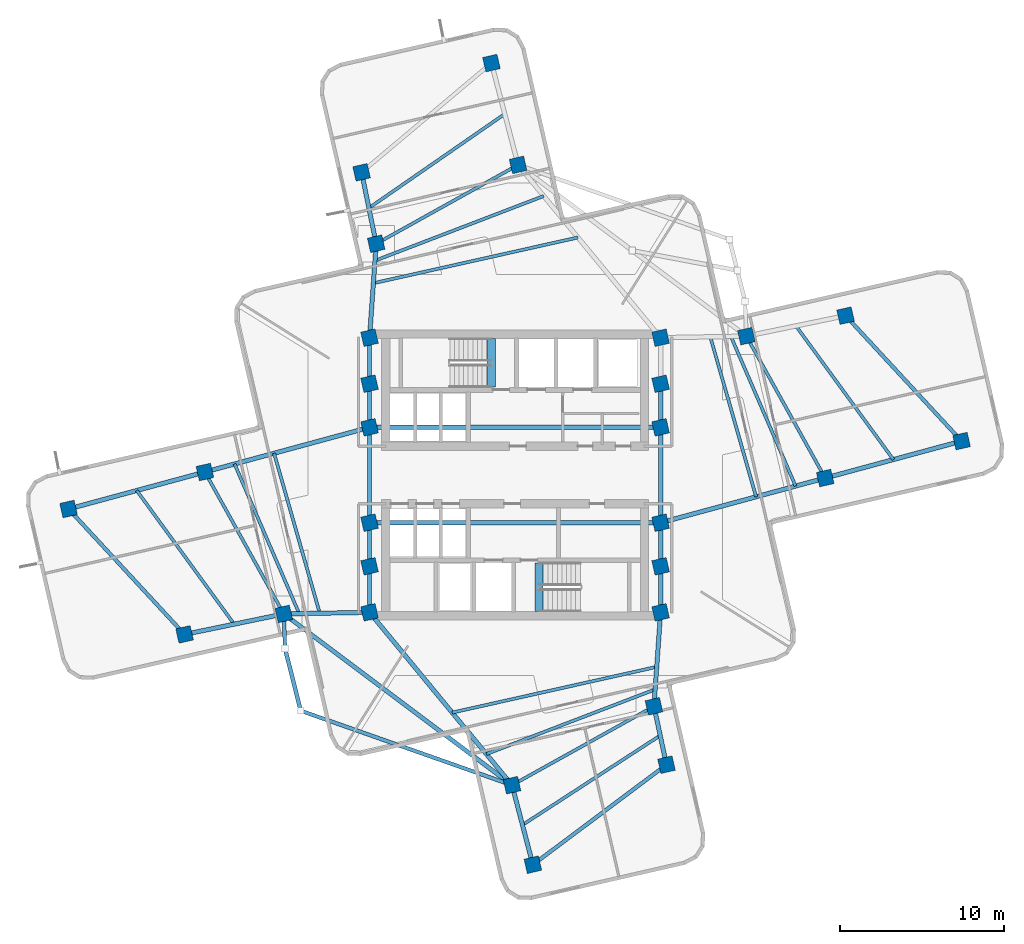
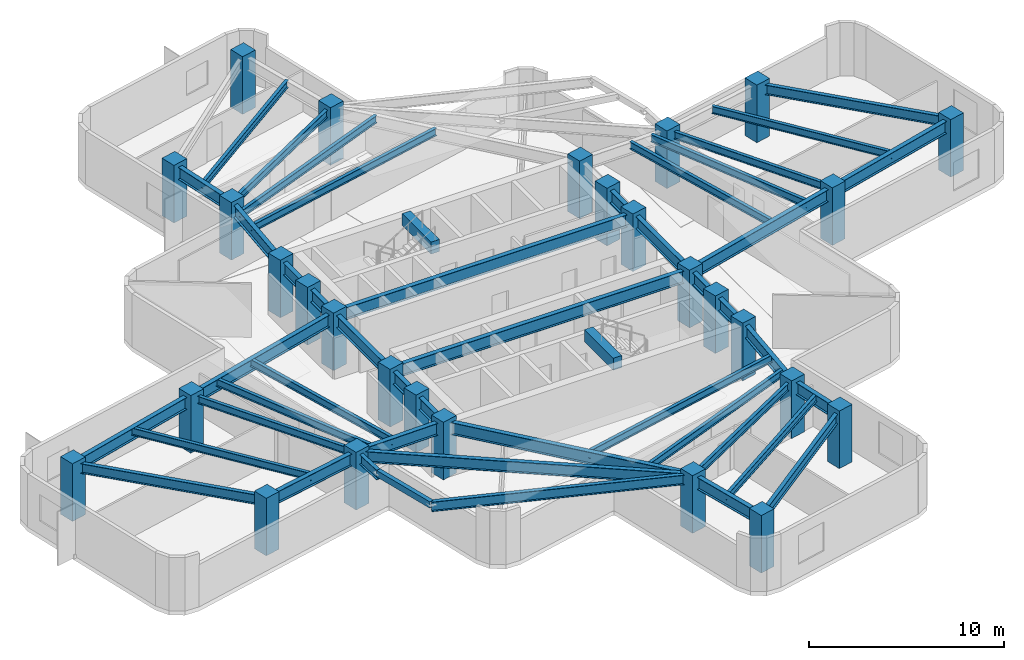
# One storey, part 1 of 8: 48 beams, 28 columns.
"""IFC4 building model written with IfcOpenShell, lengths in metres."""

from ifc_helpers import new_model, si_unit, direction, frame, origin, origin_2d, place, context, subcontext, project, spatial, rectangle, hollow_rectangle, i_section, extrude, material, material_profile, profile_set, type_object, element, save


model = new_model("IFC4")

# Units and contexts
model_context = context("Model", 3, precision=1e-05, world=origin(), true_north=direction((0.0, 1.0)))
body_context = subcontext(model_context, "Body", "Model", "MODEL_VIEW")
ifc_project = project(units=[si_unit("LENGTHUNIT", "METRE"), si_unit("AREAUNIT", "SQUARE_METRE"), si_unit("VOLUMEUNIT", "CUBIC_METRE"), si_unit("PLANEANGLEUNIT", "RADIAN"), si_unit("MASSUNIT", "GRAM", prefix="KILO")], contexts=[model_context])

# Site, building, storey
site_placement = place(None, origin())
site = spatial("IfcSite", under=ifc_project, at=site_placement, CompositionType="ELEMENT")
building_placement = place(site_placement, origin())
building = spatial("IfcBuilding", under=site, at=building_placement, Name="Solmarez Civic Tower", CompositionType="ELEMENT")
storey_placement = place(building_placement, frame((0.0, 0.0, 123.47998046875)))
storey = spatial("IfcBuildingStorey", under=building, at=storey_placement, Name="L32", CompositionType="ELEMENT", Elevation=123.47998046875)

# Columns
ifc_material_1 = material(Name="Concrete C50/60", Category="concrete")
ifc_material_profile_1 = material_profile(ifc_material_1, rectangle(XDim=0.89990234375, YDim=0.89990234375, at=origin_2d()), Name="RC900X900")
ifc_profile_set_1 = profile_set([ifc_material_profile_1], Name="Concrete C50/60")
column_type = type_object("IfcColumnType", Name="COL-RC900", PredefinedType="COLUMN", material=ifc_profile_set_1)
for number, where, z_axis, x_axis, name in (
    (1, (-8.85009765625, -5.550048828125, 0.0), (0.0, 0.0, 1.0), (0.974761194191, 0.223250116011, 0.0), "L32 Structural Column HC1"),
    (2, (-8.85009765625, -2.89990234375, 0.0), (0.0, 0.0, 1.0), (0.974761194191, 0.223250116011, 0.0), "L32 Structural Column HC2"),
    (3, (-8.85009765625, 2.89990234375, 0.0), (0.0, 0.0, 1.0), (0.974761194191, 0.223250116011, 0.0), "L32 Structural Column HC3"),
    (4, (-8.85009765625, 5.550048828125, 0.0), (0.0, 0.0, 1.0), (0.974761194191, 0.223250116011, 0.0), "L32 Structural Column HC4"),
    (5, (8.85009765625, -5.550048828125, 0.0), (0.0, 0.0, 1.0), (0.974761194191, 0.223250116011, 0.0), "L32 Structural Column HC5"),
    (6, (8.85009765625, -2.89990234375, 0.0), (0.0, 0.0, 1.0), (0.974761194191, 0.223250116011, 0.0), "L32 Structural Column HC6"),
    (7, (8.85009765625, 2.89990234375, 0.0), (0.0, 0.0, 1.0), (0.974761194191, 0.223250116011, 0.0), "L32 Structural Column HC7"),
    (8, (8.85009765625, 5.550048828125, 0.0), (0.0, 0.0, 1.0), (0.974761194191, 0.223250116011, 0.0), "L32 Structural Column HC8"),
    (9, (-8.85009765625, 8.35009765625, 0.0), (0.0, 0.0, 1.0), (0.974761194191, 0.223250116011, 0.0), "L32 Structural Column HC9"),
    (10, (8.85009765625, -8.35009765625, 0.0), (0.0, 0.0, 1.0), (0.974761194191, 0.223250116011, 0.0), "L32 Structural Column HC10"),
    (11, (8.85009765625, 8.35009765625, 0.0), (0.0, 0.0, 1.0), (0.974761194191, 0.223250116011, 0.0), "L32 Structural Column HC11"),
    (12, (-8.85009765625, -8.35009765625, 0.0), (0.0, 0.0, 1.0), (0.974761194191, 0.223250116011, 0.0), "L32 Structural Column HC12"),
    (13, (18.860107421875, -0.18310546875, 0.0), (0.0, 0.0, 1.0), (0.974761194191, 0.223250116011, 0.0), "L32 Structural Column EA11"),
    (14, (14.06396484375, 8.445068359375, 0.0), (0.0, 0.0, 1.0), (0.974761194191, 0.223250116011, 0.0), "L32 Structural Column EA12"),
    (15, (27.153076171875, 2.06396484375, 0.0), (0.0, 0.0, 1.0), (0.974761194191, 0.223250116011, 0.0), "L32 Structural Column EA21"),
    (16, (20.097900390625, 9.69189453125, 0.0), (0.0, 0.0, 1.0), (0.974761194191, 0.223250116011, 0.0), "L32 Structural Column EA22"),
    (17, (0.18310546875, 18.860107421875, 0.0), (0.0, 0.0, 1.0), (0.974761194191, 0.223250116011, 0.0), "L32 Structural Column NA11"),
    (18, (-8.445068359375, 14.06396484375, 0.0), (0.0, 0.0, 1.0), (0.974761194191, 0.223250116011, 0.0), "L32 Structural Column NA12"),
    (19, (-1.43701171875, 25.052001953125, 0.0), (0.0, 0.0, 1.0), (0.974761194191, 0.223250116011, 0.0), "L32 Structural Column NA21"),
    (20, (-9.3330078125, 18.408935546875, 0.0), (0.0, 0.0, 1.0), (0.974761194191, 0.223250116011, 0.0), "L32 Structural Column NA22"),
    (21, (-18.860107421875, 0.18310546875, 0.0), (0.0, 0.0, 1.0), (0.974761194191, 0.223250116011, 0.0), "L32 Structural Column WA11"),
    (22, (-14.06396484375, -8.445068359375, 0.0), (0.0, 0.0, 1.0), (0.974761194191, 0.223250116011, 0.0), "L32 Structural Column WA12"),
    (23, (-27.153076171875, -2.06396484375, 0.0), (0.0, 0.0, 1.0), (0.974761194191, 0.223250116011, 0.0), "L32 Structural Column WA21"),
    (24, (-20.097900390625, -9.69189453125, 0.0), (0.0, 0.0, 1.0), (0.974761194191, 0.223250116011, 0.0), "L32 Structural Column WA22"),
    (25, (-0.18310546875, -18.860107421875, 0.0), (0.0, 0.0, 1.0), (0.974761194191, 0.223250116011, 0.0), "L32 Structural Column SA11"),
    (26, (8.445068359375, -14.06396484375, 0.0), (0.0, 0.0, 1.0), (0.974761194191, 0.223250116011, 0.0), "L32 Structural Column SA12"),
    (27, (1.0830078125, -23.697021484375, 0.0), (0.0, 0.0, 1.0), (0.974761194191, 0.223250116011, 0.0), "L32 Structural Column SA21"),
    (28, (9.2080078125, -17.614990234375, 0.0), (0.0, 0.0, 1.0), (0.974761194191, 0.223250116011, 0.0), "L32 Structural Column SA22"),
):
    element("IfcColumn", number, at=place(storey_placement, frame(where, z_axis=z_axis, x_axis=x_axis)), inside=storey, type_object=column_type, Name=name, PredefinedType="COLUMN", context=body_context, shape_type="SweptSolid", body=[
        extrude(rectangle(XDim=0.89990234375, YDim=0.89990234375, at=origin_2d()), origin(), (0.0, 0.0, 1.0), 3.60009765625),
    ])

# Beams
ifc_material_2 = material(Name="Steel S355", Category="steel")
ifc_material_profile_2 = material_profile(ifc_material_2, i_section(OverallWidth=0.19189453125, OverallDepth=0.462890625, WebThickness=0.010498046875, FlangeThickness=0.017578125, at=origin_2d()), Name="W18X60")
ifc_profile_set_2 = profile_set([ifc_material_profile_2], Name="Steel S355")
beam_type_1 = type_object("IfcBeamType", Name="BM-JS-W18X60", PredefinedType="JOIST", material=ifc_profile_set_2)
beam_1_placement = place(storey_placement, frame((18.860107421875, -0.18310546875, 3.10791015625), z_axis=(-0.485852902718, 0.874040592261, 0.0), x_axis=(-0.874040592261, -0.485852902718, 0.0)))
element("IfcBeam", 29, at=beam_1_placement, inside=storey, type_object=beam_type_1, Name="L32 Secondary Floor Joist BM-L32-EA-T1", PredefinedType="JOIST", context=body_context, shape_type="SweptSolid", body=[
    extrude(i_section(OverallWidth=0.19189453125, OverallDepth=0.462890625, WebThickness=0.010498046875, FlangeThickness=0.017578125, at=origin_2d()), origin(), (0.0, 0.0, 1.0), 9.87158203125),
])
beam_2_placement = place(storey_placement, frame((23.006103515625, 0.94091796875, 3.10791015625), z_axis=(-0.589058914091, 0.808090091345, 0.0), x_axis=(-0.808090091345, -0.589058914091, 0.0)))
element("IfcBeam", 30, at=beam_2_placement, inside=storey, type_object=beam_type_1, Name="L32 Secondary Floor Joist JS-L32-EA-M2", PredefinedType="JOIST", context=body_context, shape_type="SweptSolid", body=[
    extrude(i_section(OverallWidth=0.19189453125, OverallDepth=0.462890625, WebThickness=0.010498046875, FlangeThickness=0.017578125, at=origin_2d()), origin(), (0.0, 0.0, 1.0), 10.05859375),
])
beam_3_placement = place(storey_placement, frame((14.656005859375, -1.323974609375, 3.10791015625), z_axis=(-0.27492825036, 0.961464745664, 0.0), x_axis=(-0.961464745664, -0.27492825036, 0.0)))
element("IfcBeam", 31, at=beam_3_placement, inside=storey, type_object=beam_type_1, Name="L32 Secondary Floor Joist JS-L32-EA-M11", PredefinedType="JOIST", context=body_context, shape_type="SweptSolid", body=[
    extrude(i_section(OverallWidth=0.19189453125, OverallDepth=0.462890625, WebThickness=0.010498046875, FlangeThickness=0.017578125, at=origin_2d()), origin(), (0.0, 0.0, 1.0), 10.118896484375),
])
beam_4_placement = place(storey_placement, frame((17.05810546875, -0.672119140625, 3.10791015625), z_axis=(-0.396735074316, 0.917933157048, 0.0), x_axis=(-0.917933157048, -0.396735074316, 0.0)))
element("IfcBeam", 32, at=beam_4_placement, inside=storey, type_object=beam_type_1, Name="L32 Secondary Floor Joist JS-L32-EA-M12", PredefinedType="JOIST", context=body_context, shape_type="SweptSolid", body=[
    extrude(i_section(OverallWidth=0.19189453125, OverallDepth=0.462890625, WebThickness=0.010498046875, FlangeThickness=0.017578125, at=origin_2d()), origin(), (0.0, 0.0, 1.0), 9.91357421875),
])
beam_5_placement = place(storey_placement, frame((0.18310546875, 18.860107421875, 3.10791015625), z_axis=(-0.874040592261, -0.485852902718, 0.0), x_axis=(0.485852902718, -0.874040592261, 0.0)))
element("IfcBeam", 33, at=beam_5_placement, inside=storey, type_object=beam_type_1, Name="L32 Secondary Floor Joist BM-L32-NA-T1", PredefinedType="JOIST", context=body_context, shape_type="SweptSolid", body=[
    extrude(i_section(OverallWidth=0.19189453125, OverallDepth=0.462890625, WebThickness=0.010498046875, FlangeThickness=0.017578125, at=origin_2d()), origin(), (0.0, 0.0, 1.0), 9.87158203125),
])
beam_6_placement = place(storey_placement, frame((-0.626953125, 21.9560546875, 3.10791015625), z_axis=(-0.822185194468, -0.56922008573, 0.0), x_axis=(0.56922008573, -0.822185194468, 0.0)))
element("IfcBeam", 34, at=beam_6_placement, inside=storey, type_object=beam_type_1, Name="L32 Secondary Floor Joist JS-L32-NA-M2", PredefinedType="JOIST", context=body_context, shape_type="SweptSolid", body=[
    extrude(i_section(OverallWidth=0.19189453125, OverallDepth=0.462890625, WebThickness=0.010498046875, FlangeThickness=0.017578125, at=origin_2d()), origin(), (0.0, 0.0, 1.0), 10.048828125),
])
beam_7_placement = place(storey_placement, frame((3.822998046875, 14.446044921875, 3.10791015625), z_axis=(-0.975887310906, -0.218274955988, 0.0), x_axis=(0.218274955988, -0.975887310906, 0.0)))
element("IfcBeam", 35, at=beam_7_placement, inside=storey, type_object=beam_type_1, Name="L32 Secondary Floor Joist JS-L32-NA-M11", PredefinedType="JOIST", context=body_context, shape_type="SweptSolid", body=[
    extrude(i_section(OverallWidth=0.19189453125, OverallDepth=0.462890625, WebThickness=0.010498046875, FlangeThickness=0.017578125, at=origin_2d()), origin(), (0.0, 0.0, 1.0), 12.745361328125),
])
beam_8_placement = place(storey_placement, frame((1.742919921875, 16.968017578125, 3.10791015625), z_axis=(-0.933754408709, -0.357914381125, 0.0), x_axis=(0.357914381125, -0.933754408709, 0.0)))
element("IfcBeam", 36, at=beam_8_placement, inside=storey, type_object=beam_type_1, Name="L32 Secondary Floor Joist JS-L32-NA-M12", PredefinedType="JOIST", context=body_context, shape_type="SweptSolid", body=[
    extrude(i_section(OverallWidth=0.19189453125, OverallDepth=0.462890625, WebThickness=0.010498046875, FlangeThickness=0.017578125, at=origin_2d()), origin(), (0.0, 0.0, 1.0), 10.989013671875),
])
beam_9_placement = place(storey_placement, frame((-18.860107421875, 0.18310546875, 3.10791015625), z_axis=(0.485852902718, -0.874040592261, 0.0), x_axis=(0.874040592261, 0.485852902718, 0.0)))
element("IfcBeam", 37, at=beam_9_placement, inside=storey, type_object=beam_type_1, Name="L32 Secondary Floor Joist BM-L32-WA-T1", PredefinedType="JOIST", context=body_context, shape_type="SweptSolid", body=[
    extrude(i_section(OverallWidth=0.19189453125, OverallDepth=0.462890625, WebThickness=0.010498046875, FlangeThickness=0.017578125, at=origin_2d()), origin(), (0.0, 0.0, 1.0), 9.87158203125),
])
beam_10_placement = place(storey_placement, frame((-23.006103515625, -0.94091796875, 3.10791015625), z_axis=(0.589058914091, -0.808090091345, 0.0), x_axis=(0.808090091345, 0.589058914091, 0.0)))
element("IfcBeam", 38, at=beam_10_placement, inside=storey, type_object=beam_type_1, Name="L32 Secondary Floor Joist JS-L32-WA-M2", PredefinedType="JOIST", context=body_context, shape_type="SweptSolid", body=[
    extrude(i_section(OverallWidth=0.19189453125, OverallDepth=0.462890625, WebThickness=0.010498046875, FlangeThickness=0.017578125, at=origin_2d()), origin(), (0.0, 0.0, 1.0), 10.05859375),
])
beam_11_placement = place(storey_placement, frame((-14.656005859375, 1.323974609375, 3.10791015625), z_axis=(0.27492825036, -0.961464745664, 0.0), x_axis=(0.961464745664, 0.27492825036, 0.0)))
element("IfcBeam", 39, at=beam_11_placement, inside=storey, type_object=beam_type_1, Name="L32 Secondary Floor Joist JS-L32-WA-M11", PredefinedType="JOIST", context=body_context, shape_type="SweptSolid", body=[
    extrude(i_section(OverallWidth=0.19189453125, OverallDepth=0.462890625, WebThickness=0.010498046875, FlangeThickness=0.017578125, at=origin_2d()), origin(), (0.0, 0.0, 1.0), 10.118896484375),
])
beam_12_placement = place(storey_placement, frame((-17.05810546875, 0.672119140625, 3.10791015625), z_axis=(0.396735074316, -0.917933157048, 0.0), x_axis=(0.917933157048, 0.396735074316, 0.0)))
element("IfcBeam", 40, at=beam_12_placement, inside=storey, type_object=beam_type_1, Name="L32 Secondary Floor Joist JS-L32-WA-M12", PredefinedType="JOIST", context=body_context, shape_type="SweptSolid", body=[
    extrude(i_section(OverallWidth=0.19189453125, OverallDepth=0.462890625, WebThickness=0.010498046875, FlangeThickness=0.017578125, at=origin_2d()), origin(), (0.0, 0.0, 1.0), 9.91357421875),
])
beam_13_placement = place(storey_placement, frame((-0.18310546875, -18.860107421875, 3.10791015625), z_axis=(0.874040592261, 0.485852902718, 0.0), x_axis=(-0.485852902718, 0.874040592261, 0.0)))
element("IfcBeam", 41, at=beam_13_placement, inside=storey, type_object=beam_type_1, Name="L32 Secondary Floor Joist BM-L32-SA-T1", PredefinedType="JOIST", context=body_context, shape_type="SweptSolid", body=[
    extrude(i_section(OverallWidth=0.19189453125, OverallDepth=0.462890625, WebThickness=0.010498046875, FlangeThickness=0.017578125, at=origin_2d()), origin(), (0.0, 0.0, 1.0), 9.87158203125),
])
beam_14_placement = place(storey_placement, frame((0.449951171875, -21.279052734375, 3.10791015625), z_axis=(0.83864684805, 0.54467555871, 0.0), x_axis=(-0.54467555871, 0.83864684805, 0.0)))
element("IfcBeam", 42, at=beam_14_placement, inside=storey, type_object=beam_type_1, Name="L32 Secondary Floor Joist JS-L32-SA-M2", PredefinedType="JOIST", context=body_context, shape_type="SweptSolid", body=[
    extrude(i_section(OverallWidth=0.19189453125, OverallDepth=0.462890625, WebThickness=0.010498046875, FlangeThickness=0.017578125, at=origin_2d()), origin(), (0.0, 0.0, 1.0), 9.987548828125),
])
beam_15_placement = place(storey_placement, frame((-3.822998046875, -14.446044921875, 3.10791015625), z_axis=(0.975887310906, 0.218274955988, 0.0), x_axis=(-0.218274955988, 0.975887310906, 0.0)))
element("IfcBeam", 43, at=beam_15_placement, inside=storey, type_object=beam_type_1, Name="L32 Secondary Floor Joist JS-L32-SA-M11", PredefinedType="JOIST", context=body_context, shape_type="SweptSolid", body=[
    extrude(i_section(OverallWidth=0.19189453125, OverallDepth=0.462890625, WebThickness=0.010498046875, FlangeThickness=0.017578125, at=origin_2d()), origin(), (0.0, 0.0, 1.0), 12.745361328125),
])
beam_16_placement = place(storey_placement, frame((-1.742919921875, -16.968017578125, 3.10791015625), z_axis=(0.933754408709, 0.357914381125, 0.0), x_axis=(-0.357914381125, 0.933754408709, 0.0)))
element("IfcBeam", 44, at=beam_16_placement, inside=storey, type_object=beam_type_1, Name="L32 Secondary Floor Joist JS-L32-SA-M12", PredefinedType="JOIST", context=body_context, shape_type="SweptSolid", body=[
    extrude(i_section(OverallWidth=0.19189453125, OverallDepth=0.462890625, WebThickness=0.010498046875, FlangeThickness=0.017578125, at=origin_2d()), origin(), (0.0, 0.0, 1.0), 10.989013671875),
])
ifc_material_profile_3 = material_profile(ifc_material_1, rectangle(XDim=0.5, YDim=0.75, at=origin_2d()), Name="RC500X750")
ifc_profile_set_3 = profile_set([ifc_material_profile_3], Name="Concrete C50/60")
beam_type_2 = type_object("IfcBeamType", Name="BM-PR-RC500X750", PredefinedType="BEAM", material=ifc_profile_set_3)
for number, where, z_axis, x_axis, name in (
    (45, (-1.449951171875, 5.340087890625, 3.23291015625), (0.0, 1.0, 0.0), (-1.0, 0.0, 0.0), "L32 North Stair Threshold Beam"),
    (46, (1.449951171875, -8.300048828125, 3.23291015625), (0.0, 1.0, 0.0), (-1.0, 0.0, 0.0), "L32 South Stair Threshold Beam"),
):
    element("IfcBeam", number, at=place(storey_placement, frame(where, z_axis=z_axis, x_axis=x_axis)), inside=storey, type_object=beam_type_2, Name=name, PredefinedType="BEAM", context=body_context, shape_type="SweptSolid", body=[
        extrude(rectangle(XDim=0.5, YDim=0.75, at=origin_2d()), origin(), (0.0, 0.0, 1.0), 2.9599609375),
    ])
ifc_material_profile_4 = material_profile(ifc_material_2, i_section(OverallWidth=0.25390625, OverallDepth=0.68798828125, WebThickness=0.01318359375, FlangeThickness=0.02099609375, at=origin_2d()), Name="W27X102")
ifc_profile_set_4 = profile_set([ifc_material_profile_4], Name="Steel S355")
beam_type_3 = type_object("IfcBeamType", Name="BM-PR-W27X102", PredefinedType="BEAM", material=ifc_profile_set_4)
beam_17_placement = place(storey_placement, frame((-14.06396484375, -8.445068359375, 2.99609375), z_axis=(0.799878431775, -0.600162056766, 0.0), x_axis=(0.600162056766, 0.799878431775, 0.0)))
element("IfcBeam", 47, at=beam_17_placement, inside=storey, type_object=beam_type_3, Name="L32 Primary Floor Beam BM-L32-BALC-SWC", PredefinedType="BEAM", context=body_context, shape_type="SweptSolid", body=[
    extrude(i_section(OverallWidth=0.25390625, OverallDepth=0.68798828125, WebThickness=0.01318359375, FlangeThickness=0.02099609375, at=origin_2d()), origin(), (0.0, 0.0, 1.0), 17.353759765625),
])
ifc_material_profile_5 = material_profile(ifc_material_2, i_section(OverallWidth=0.26708984375, OverallDepth=0.761962890625, WebThickness=0.014404296875, FlangeThickness=0.021484375, at=origin_2d()), Name="W30X116")
ifc_profile_set_5 = profile_set([ifc_material_profile_5], Name="Steel S355")
beam_type_4 = type_object("IfcBeamType", Name="BM-PR-W30X116", PredefinedType="BEAM", material=ifc_profile_set_5)
beam_18_placement = place(storey_placement, frame((-8.85009765625, -8.35009765625, 2.958984375), z_axis=(0.0, 1.0, 0.0), x_axis=(-1.0, 0.0, 0.0)))
element("IfcBeam", 48, at=beam_18_placement, inside=storey, type_object=beam_type_4, Name="L32 Primary Floor Beam BM-L32-HC12-HC1", PredefinedType="BEAM", context=body_context, shape_type="SweptSolid", body=[
    extrude(i_section(OverallWidth=0.26708984375, OverallDepth=0.761962890625, WebThickness=0.014404296875, FlangeThickness=0.021484375, at=origin_2d()), origin(), (0.0, 0.0, 1.0), 2.800048828125),
])
beam_19_placement = place(storey_placement, frame((-8.85009765625, -5.550048828125, 2.958984375), z_axis=(0.0, 1.0, 0.0), x_axis=(-1.0, 0.0, 0.0)))
element("IfcBeam", 49, at=beam_19_placement, inside=storey, type_object=beam_type_4, Name="L32 Primary Floor Beam BM-L32-HC1-HC2", PredefinedType="BEAM", context=body_context, shape_type="SweptSolid", body=[
    extrude(i_section(OverallWidth=0.26708984375, OverallDepth=0.761962890625, WebThickness=0.014404296875, FlangeThickness=0.021484375, at=origin_2d()), origin(), (0.0, 0.0, 1.0), 2.650146484375),
])
beam_20_placement = place(storey_placement, frame((-8.85009765625, -2.89990234375, 2.958984375), z_axis=(0.0, 1.0, 0.0), x_axis=(-1.0, 0.0, 0.0)))
element("IfcBeam", 50, at=beam_20_placement, inside=storey, type_object=beam_type_4, Name="L32 Primary Floor Beam BM-L32-HC2-HC3", PredefinedType="BEAM", context=body_context, shape_type="SweptSolid", body=[
    extrude(i_section(OverallWidth=0.26708984375, OverallDepth=0.761962890625, WebThickness=0.014404296875, FlangeThickness=0.021484375, at=origin_2d()), origin(), (0.0, 0.0, 1.0), 5.7998046875),
])
beam_21_placement = place(storey_placement, frame((-8.85009765625, 2.89990234375, 2.958984375), z_axis=(0.0, 1.0, 0.0), x_axis=(-1.0, 0.0, 0.0)))
element("IfcBeam", 51, at=beam_21_placement, inside=storey, type_object=beam_type_4, Name="L32 Primary Floor Beam BM-L32-HC3-HC4", PredefinedType="BEAM", context=body_context, shape_type="SweptSolid", body=[
    extrude(i_section(OverallWidth=0.26708984375, OverallDepth=0.761962890625, WebThickness=0.014404296875, FlangeThickness=0.021484375, at=origin_2d()), origin(), (0.0, 0.0, 1.0), 2.650146484375),
])
for number, where, z_axis, x_axis, name in (
    (52, (-8.85009765625, 5.550048828125, 2.958984375), (0.0, 1.0, 0.0), (-1.0, 0.0, 0.0), "L32 Primary Floor Beam BM-L32-HC4-HC9"),
    (53, (8.85009765625, -8.35009765625, 2.958984375), (0.0, 1.0, 0.0), (-1.0, 0.0, 0.0), "L32 Primary Floor Beam BM-L32-HC10-HC5"),
):
    element("IfcBeam", number, at=place(storey_placement, frame(where, z_axis=z_axis, x_axis=x_axis)), inside=storey, type_object=beam_type_4, Name=name, PredefinedType="BEAM", context=body_context, shape_type="SweptSolid", body=[
        extrude(i_section(OverallWidth=0.26708984375, OverallDepth=0.761962890625, WebThickness=0.014404296875, FlangeThickness=0.021484375, at=origin_2d()), origin(), (0.0, 0.0, 1.0), 2.800048828125),
    ])
beam_22_placement = place(storey_placement, frame((8.85009765625, -5.550048828125, 2.958984375), z_axis=(0.0, 1.0, 0.0), x_axis=(-1.0, 0.0, 0.0)))
element("IfcBeam", 54, at=beam_22_placement, inside=storey, type_object=beam_type_4, Name="L32 Primary Floor Beam BM-L32-HC5-HC6", PredefinedType="BEAM", context=body_context, shape_type="SweptSolid", body=[
    extrude(i_section(OverallWidth=0.26708984375, OverallDepth=0.761962890625, WebThickness=0.014404296875, FlangeThickness=0.021484375, at=origin_2d()), origin(), (0.0, 0.0, 1.0), 2.650146484375),
])
beam_23_placement = place(storey_placement, frame((8.85009765625, -2.89990234375, 2.958984375), z_axis=(0.0, 1.0, 0.0), x_axis=(-1.0, 0.0, 0.0)))
element("IfcBeam", 55, at=beam_23_placement, inside=storey, type_object=beam_type_4, Name="L32 Primary Floor Beam BM-L32-HC6-HC7", PredefinedType="BEAM", context=body_context, shape_type="SweptSolid", body=[
    extrude(i_section(OverallWidth=0.26708984375, OverallDepth=0.761962890625, WebThickness=0.014404296875, FlangeThickness=0.021484375, at=origin_2d()), origin(), (0.0, 0.0, 1.0), 5.7998046875),
])
beam_24_placement = place(storey_placement, frame((8.85009765625, 2.89990234375, 2.958984375), z_axis=(0.0, 1.0, 0.0), x_axis=(-1.0, 0.0, 0.0)))
element("IfcBeam", 56, at=beam_24_placement, inside=storey, type_object=beam_type_4, Name="L32 Primary Floor Beam BM-L32-HC7-HC8", PredefinedType="BEAM", context=body_context, shape_type="SweptSolid", body=[
    extrude(i_section(OverallWidth=0.26708984375, OverallDepth=0.761962890625, WebThickness=0.014404296875, FlangeThickness=0.021484375, at=origin_2d()), origin(), (0.0, 0.0, 1.0), 2.650146484375),
])
for number, where, z_axis, x_axis, name in (
    (57, (-8.85009765625, -2.89990234375, 2.958984375), (1.0, 0.0, 0.0), (0.0, 1.0, 0.0), "L32 Primary Floor Beam BM-L32-HC2-HC6"),
    (58, (-8.85009765625, 2.89990234375, 2.958984375), (1.0, 0.0, 0.0), (0.0, 1.0, 0.0), "L32 Primary Floor Beam BM-L32-HC3-HC7"),
):
    element("IfcBeam", number, at=place(storey_placement, frame(where, z_axis=z_axis, x_axis=x_axis)), inside=storey, type_object=beam_type_4, Name=name, PredefinedType="BEAM", context=body_context, shape_type="SweptSolid", body=[
        extrude(i_section(OverallWidth=0.26708984375, OverallDepth=0.761962890625, WebThickness=0.014404296875, FlangeThickness=0.021484375, at=origin_2d()), origin(), (0.0, 0.0, 1.0), 17.7001953125),
    ])
beam_25_placement = place(storey_placement, frame((8.85009765625, -2.89990234375, 2.958984375), z_axis=(0.965086289853, 0.261932153691, 0.0), x_axis=(-0.261932153691, 0.965086289853, 0.0)))
element("IfcBeam", 59, at=beam_25_placement, inside=storey, type_object=beam_type_4, Name="L32 Primary Floor Beam BM-L32-EA-R1A", PredefinedType="BEAM", context=body_context, shape_type="SweptSolid", body=[
    extrude(i_section(OverallWidth=0.26708984375, OverallDepth=0.761962890625, WebThickness=0.014404296875, FlangeThickness=0.021484375, at=origin_2d()), origin(), (0.0, 0.0, 1.0), 10.3720703125),
])
beam_26_placement = place(storey_placement, frame((18.860107421875, -0.18310546875, 2.958984375), z_axis=(0.965195296066, 0.261530190326, 0.0), x_axis=(-0.261530190326, 0.965195296066, 0.0)))
element("IfcBeam", 60, at=beam_26_placement, inside=storey, type_object=beam_type_4, Name="L32 Primary Floor Beam BM-L32-EA-R2A", PredefinedType="BEAM", context=body_context, shape_type="SweptSolid", body=[
    extrude(i_section(OverallWidth=0.26708984375, OverallDepth=0.761962890625, WebThickness=0.014404296875, FlangeThickness=0.021484375, at=origin_2d()), origin(), (0.0, 0.0, 1.0), 8.592041015625),
])
beam_27_placement = place(storey_placement, frame((-8.85009765625, 8.35009765625, 2.958984375), z_axis=(0.070707897353, 0.997497064282, 0.0), x_axis=(-0.997497064282, 0.070707897353, 0.0)))
element("IfcBeam", 61, at=beam_27_placement, inside=storey, type_object=beam_type_4, Name="L32 Primary Floor Beam BM-L32-NA-R1B", PredefinedType="BEAM", context=body_context, shape_type="SweptSolid", body=[
    extrude(i_section(OverallWidth=0.26708984375, OverallDepth=0.761962890625, WebThickness=0.014404296875, FlangeThickness=0.021484375, at=origin_2d()), origin(), (0.0, 0.0, 1.0), 5.728271484375),
])
beam_28_placement = place(storey_placement, frame((-8.445068359375, 14.06396484375, 2.958984375), z_axis=(-0.200222099018, 0.979750535118, 0.0), x_axis=(-0.979750535118, -0.200222099018, 0.0)))
element("IfcBeam", 62, at=beam_28_placement, inside=storey, type_object=beam_type_4, Name="L32 Primary Floor Beam BM-L32-NA-R2B", PredefinedType="BEAM", context=body_context, shape_type="SweptSolid", body=[
    extrude(i_section(OverallWidth=0.26708984375, OverallDepth=0.761962890625, WebThickness=0.014404296875, FlangeThickness=0.021484375, at=origin_2d()), origin(), (0.0, 0.0, 1.0), 4.434814453125),
])
beam_29_placement = place(storey_placement, frame((-8.85009765625, 2.89990234375, 2.958984375), z_axis=(-0.965086289853, -0.261932153691, 0.0), x_axis=(0.261932153691, -0.965086289853, 0.0)))
element("IfcBeam", 63, at=beam_29_placement, inside=storey, type_object=beam_type_4, Name="L32 Primary Floor Beam BM-L32-WA-R1A", PredefinedType="BEAM", context=body_context, shape_type="SweptSolid", body=[
    extrude(i_section(OverallWidth=0.26708984375, OverallDepth=0.761962890625, WebThickness=0.014404296875, FlangeThickness=0.021484375, at=origin_2d()), origin(), (0.0, 0.0, 1.0), 10.3720703125),
])
beam_30_placement = place(storey_placement, frame((-8.85009765625, -8.35009765625, 2.958984375), z_axis=(-0.999834147765, -0.018212000538, 0.0), x_axis=(0.018212000538, -0.999834147765, 0.0)))
element("IfcBeam", 64, at=beam_30_placement, inside=storey, type_object=beam_type_4, Name="L32 Primary Floor Beam BM-L32-WA-R1B", PredefinedType="BEAM", context=body_context, shape_type="SweptSolid", body=[
    extrude(i_section(OverallWidth=0.26708984375, OverallDepth=0.761962890625, WebThickness=0.014404296875, FlangeThickness=0.021484375, at=origin_2d()), origin(), (0.0, 0.0, 1.0), 5.21484375),
])
beam_31_placement = place(storey_placement, frame((-18.860107421875, 0.18310546875, 2.958984375), z_axis=(-0.965195296066, -0.261530190326, 0.0), x_axis=(0.261530190326, -0.965195296066, 0.0)))
element("IfcBeam", 65, at=beam_31_placement, inside=storey, type_object=beam_type_4, Name="L32 Primary Floor Beam BM-L32-WA-R2A", PredefinedType="BEAM", context=body_context, shape_type="SweptSolid", body=[
    extrude(i_section(OverallWidth=0.26708984375, OverallDepth=0.761962890625, WebThickness=0.014404296875, FlangeThickness=0.021484375, at=origin_2d()), origin(), (0.0, 0.0, 1.0), 8.592041015625),
])
beam_32_placement = place(storey_placement, frame((-14.06396484375, -8.445068359375, 2.958984375), z_axis=(-0.979311082476, -0.202360578523, 0.0), x_axis=(0.202360578523, -0.979311082476, 0.0)))
element("IfcBeam", 66, at=beam_32_placement, inside=storey, type_object=beam_type_4, Name="L32 Primary Floor Beam BM-L32-WA-R2B", PredefinedType="BEAM", context=body_context, shape_type="SweptSolid", body=[
    extrude(i_section(OverallWidth=0.26708984375, OverallDepth=0.761962890625, WebThickness=0.014404296875, FlangeThickness=0.021484375, at=origin_2d()), origin(), (0.0, 0.0, 1.0), 6.161376953125),
])
beam_33_placement = place(storey_placement, frame((-8.85009765625, -8.35009765625, 2.958984375), z_axis=(0.636218453069, -0.77150896299, 0.0), x_axis=(0.77150896299, 0.636218453069, 0.0)))
element("IfcBeam", 67, at=beam_33_placement, inside=storey, type_object=beam_type_4, Name="L32 Primary Floor Beam BM-L32-SA-R1A", PredefinedType="BEAM", context=body_context, shape_type="SweptSolid", body=[
    extrude(i_section(OverallWidth=0.26708984375, OverallDepth=0.761962890625, WebThickness=0.014404296875, FlangeThickness=0.021484375, at=origin_2d()), origin(), (0.0, 0.0, 1.0), 13.62255859375),
])
beam_34_placement = place(storey_placement, frame((8.85009765625, -8.35009765625, 2.958984375), z_axis=(-0.070707897353, -0.997497064282, 0.0), x_axis=(0.997497064282, -0.070707897353, 0.0)))
element("IfcBeam", 68, at=beam_34_placement, inside=storey, type_object=beam_type_4, Name="L32 Primary Floor Beam BM-L32-SA-R1B", PredefinedType="BEAM", context=body_context, shape_type="SweptSolid", body=[
    extrude(i_section(OverallWidth=0.26708984375, OverallDepth=0.761962890625, WebThickness=0.014404296875, FlangeThickness=0.021484375, at=origin_2d()), origin(), (0.0, 0.0, 1.0), 5.728271484375),
])
beam_35_placement = place(storey_placement, frame((-0.18310546875, -18.860107421875, 2.958984375), z_axis=(0.253228832632, -0.967406408043, 0.0), x_axis=(0.967406408043, 0.253228832632, 0.0)))
element("IfcBeam", 69, at=beam_35_placement, inside=storey, type_object=beam_type_4, Name="L32 Primary Floor Beam BM-L32-SA-R2A", PredefinedType="BEAM", context=body_context, shape_type="SweptSolid", body=[
    extrude(i_section(OverallWidth=0.26708984375, OverallDepth=0.761962890625, WebThickness=0.014404296875, FlangeThickness=0.021484375, at=origin_2d()), origin(), (0.0, 0.0, 1.0), 5.0),
])
beam_36_placement = place(storey_placement, frame((8.445068359375, -14.06396484375, 2.958984375), z_axis=(0.210056967216, -0.977689148208, 0.0), x_axis=(0.977689148208, 0.210056967216, 0.0)))
element("IfcBeam", 70, at=beam_36_placement, inside=storey, type_object=beam_type_4, Name="L32 Primary Floor Beam BM-L32-SA-R2B", PredefinedType="BEAM", context=body_context, shape_type="SweptSolid", body=[
    extrude(i_section(OverallWidth=0.26708984375, OverallDepth=0.761962890625, WebThickness=0.014404296875, FlangeThickness=0.021484375, at=origin_2d()), origin(), (0.0, 0.0, 1.0), 3.632080078125),
])
ifc_material_profile_6 = material_profile(ifc_material_2, hollow_rectangle(XDim=0.25, YDim=0.39990234375, WallThickness=0.01611328125, at=origin_2d()), Name="HSS400X250X16")
ifc_profile_set_6 = profile_set([ifc_material_profile_6], Name="Steel S355")
beam_type_5 = type_object("IfcBeamType", Name="BM-SP-HSS400X250", PredefinedType="SPANDREL", material=ifc_profile_set_6)
beam_37_placement = place(storey_placement, frame((-13.988037109375, -10.553955078125, 3.14013671875), z_axis=(0.245141857884, -0.969487219881, 0.0), x_axis=(0.969487219881, 0.245141857884, 0.0)))
element("IfcBeam", 71, at=beam_37_placement, inside=storey, type_object=beam_type_5, Name="L32 Perimeter Spandrel Beam BM-L32-BALC-SWE", PredefinedType="SPANDREL", context=body_context, shape_type="SweptSolid", body=[
    extrude(hollow_rectangle(XDim=0.25, YDim=0.39990234375, WallThickness=0.01611328125, at=origin_2d()), origin(), (0.0, 0.0, 1.0), 3.89990234375),
])
ifc_material_profile_7 = material_profile(ifc_material_2, i_section(OverallWidth=0.22900390625, OverallDepth=0.612060546875, WebThickness=0.011962890625, FlangeThickness=0.01953125, at=origin_2d()), Name="W24X84")
ifc_profile_set_7 = profile_set([ifc_material_profile_7], Name="Steel S355")
beam_type_6 = type_object("IfcBeamType", Name="BM-SP-W24X84", PredefinedType="SPANDREL", material=ifc_profile_set_7)
for number, where, z_axis, x_axis, name in (
    (72, (27.153076171875, 2.06396484375, 3.033935546875), (-0.679007792344, 0.734131063187, 0.0), (-0.734131063187, -0.679007792344, 0.0), "L32 Perimeter Spandrel Beam BM-L32-EA-T2"),
    (73, (-27.153076171875, -2.06396484375, 3.033935546875), (0.679007792344, -0.734131063187, 0.0), (0.734131063187, 0.679007792344, 0.0), "L32 Perimeter Spandrel Beam BM-L32-WA-T2"),
):
    element("IfcBeam", number, at=place(storey_placement, frame(where, z_axis=z_axis, x_axis=x_axis)), inside=storey, type_object=beam_type_6, Name=name, PredefinedType="SPANDREL", context=body_context, shape_type="SweptSolid", body=[
        extrude(i_section(OverallWidth=0.22900390625, OverallDepth=0.612060546875, WebThickness=0.011962890625, FlangeThickness=0.01953125, at=origin_2d()), origin(), (0.0, 0.0, 1.0), 10.390380859375),
    ])
beam_38_placement = place(storey_placement, frame((1.0830078125, -23.697021484375, 3.033935546875), z_axis=(0.800553888314, 0.599260771205, 0.0), x_axis=(-0.599260771205, 0.800553888314, 0.0)))
element("IfcBeam", 74, at=beam_38_placement, inside=storey, type_object=beam_type_6, Name="L32 Perimeter Spandrel Beam BM-L32-SA-T2", PredefinedType="SPANDREL", context=body_context, shape_type="SweptSolid", body=[
    extrude(i_section(OverallWidth=0.22900390625, OverallDepth=0.612060546875, WebThickness=0.011962890625, FlangeThickness=0.01953125, at=origin_2d()), origin(), (0.0, 0.0, 1.0), 10.149169921875),
])
beam_39_placement = place(storey_placement, frame((-14.06396484375, -8.445068359375, 3.033935546875), z_axis=(0.035980392021, -0.999352496064, 0.0), x_axis=(0.999352496064, 0.035980392021, 0.0)))
element("IfcBeam", 75, at=beam_39_placement, inside=storey, type_object=beam_type_6, Name="L32 Perimeter Spandrel Beam BM-L32-BALC-SW1", PredefinedType="SPANDREL", context=body_context, shape_type="SweptSolid", body=[
    extrude(i_section(OverallWidth=0.22900390625, OverallDepth=0.612060546875, WebThickness=0.011962890625, FlangeThickness=0.01953125, at=origin_2d()), origin(), (0.0, 0.0, 1.0), 2.1103515625),
])
beam_40_placement = place(storey_placement, frame((-0.18310546875, -18.860107421875, 3.033935546875), z_axis=(-0.943214777397, 0.332183509074, 0.0), x_axis=(-0.332183509074, -0.943214777397, 0.0)))
element("IfcBeam", 76, at=beam_40_placement, inside=storey, type_object=beam_type_6, Name="L32 Perimeter Spandrel Beam BM-L32-BALC-SW2", PredefinedType="SPANDREL", context=body_context, shape_type="SweptSolid", body=[
    extrude(i_section(OverallWidth=0.22900390625, OverallDepth=0.612060546875, WebThickness=0.011962890625, FlangeThickness=0.01953125, at=origin_2d()), origin(), (0.0, 0.0, 1.0), 13.622314453125),
])

save(model, "model.ifc")
